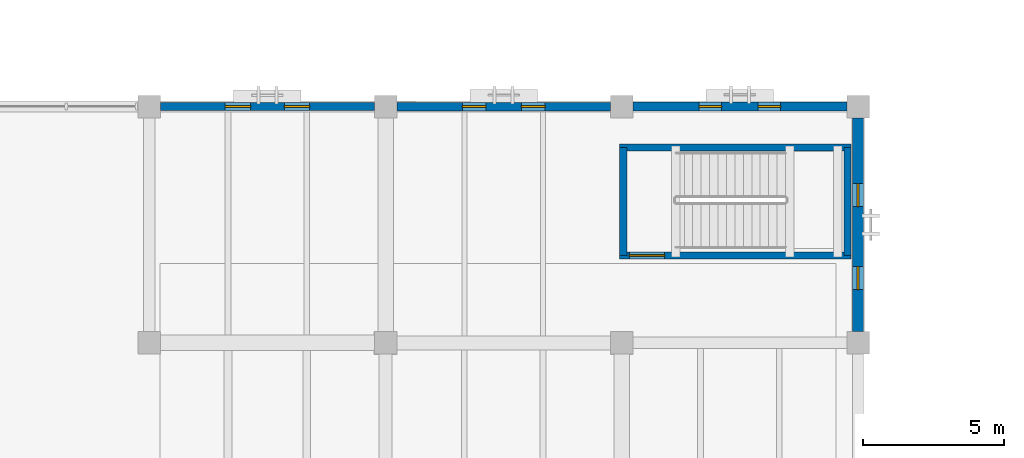
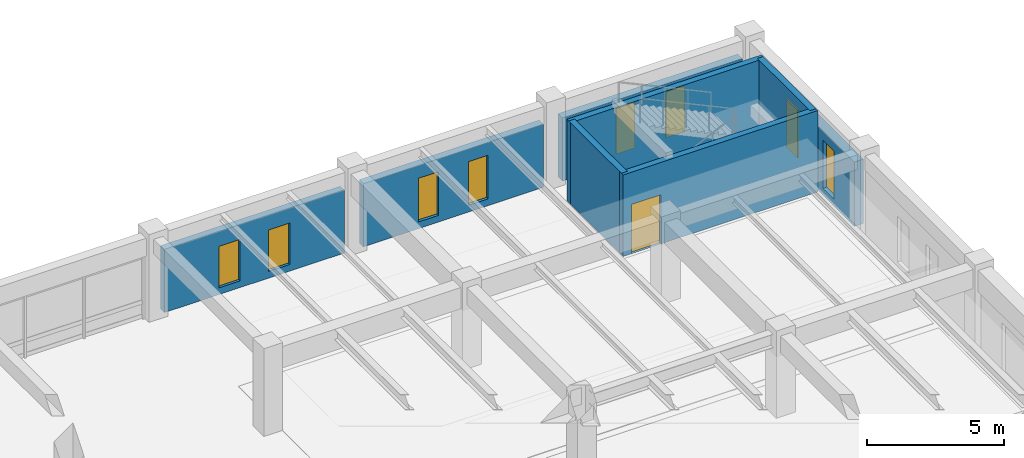
# One storey, part 99 of 135: 8 walls, 8 windows, 1 door, 9 openings.
"""IFC4 building model written with IfcOpenShell, lengths in metres."""

from ifc_helpers import new_model, si_unit, direction, frame, frame_2d, origin, place, context, subcontext, project, spatial, rectangle, extrude, material, layer, layer_set, type_object, element, fill, save


model = new_model("IFC4")

# Units and contexts
model_context = context("Model", 3, precision=1e-05, world=origin(), true_north=direction((0.0, 1.0)))
body_context = subcontext(model_context, "Body", "Model", "MODEL_VIEW")
ifc_project = project(units=[si_unit("LENGTHUNIT", "METRE"), si_unit("AREAUNIT", "SQUARE_METRE"), si_unit("VOLUMEUNIT", "CUBIC_METRE"), si_unit("PLANEANGLEUNIT", "RADIAN"), si_unit("MASSUNIT", "GRAM", prefix="KILO")], contexts=[model_context])

# Site, building, storey
site_placement = place(None, origin())
site = spatial("IfcSite", under=ifc_project, at=site_placement, CompositionType="ELEMENT")
building_placement = place(site_placement, origin())
building = spatial("IfcBuilding", under=site, at=building_placement, Name="Cumbredor Promenade Congress Hotel", CompositionType="ELEMENT")
storey_placement = place(building_placement, origin())
storey = spatial("IfcBuildingStorey", under=building, at=storey_placement, Name="L00", CompositionType="ELEMENT", Elevation=0.0)

# Wall, openings, windows
ifc_material_1 = material(Name="Concrete C40/50", Category="concrete")
ifc_layer_1 = layer(ifc_material_1, 0.280029296875, Name="Concrete C40/50", Category="concrete")
ifc_layer_set_1 = layer_set([ifc_layer_1], Name="Concrete C40/50")
wall_type_1 = type_object("IfcWallType", Name="WL-EXT-280", PredefinedType="SOLIDWALL", material=ifc_layer_set_1)
wall_1_placement = place(storey_placement, frame((151.60107421875, 117.60009765625, 0.0), z_axis=(0.0, 0.0, 1.0), x_axis=(1.0, 0.0, 0.0)))
wall_1 = element("IfcWall", 1, at=wall_1_placement, inside=storey, type_object=wall_type_1, Name="L00 Pre-Function and Breakout Meeting Forum North Envelope Wall 8", PredefinedType="SOLIDWALL", context=body_context, shape_type="SweptSolid", body=[
    extrude(rectangle(XDim=7.597900390625, YDim=0.280029296875, at=frame_2d((3.798828125, 0.0))), origin(), (0.0, 0.0, 1.0), 2.824951171875),
])
opening_1_placement = place(wall_1_placement, frame((2.299072265625, 0.0, 0.300048828125)))
opening_1 = element("IfcOpeningElement", 2, at=opening_1_placement, cuts=wall_1, Name="Opening WN-48", PredefinedType="OPENING", context=body_context, shape_type="SweptSolid", body=[
    extrude(rectangle(XDim=0.89990234375, YDim=1.85009765625, at=frame_2d((0.449951171875, 0.925048828125))), frame((0.0, 0.14990234375, 0.0), z_axis=(0.0, -1.0, 0.0), x_axis=(1.0, 0.0, 0.0)), (0.0, 0.0, 1.0), 0.300048828125),
])
opening_2_placement = place(wall_1_placement, frame((4.39892578125, 0.0, 0.300048828125)))
opening_2 = element("IfcOpeningElement", 3, at=opening_2_placement, cuts=wall_1, Name="Opening WN-48", PredefinedType="OPENING", context=body_context, shape_type="SweptSolid", body=[
    extrude(rectangle(XDim=0.89990234375, YDim=1.85009765625, at=frame_2d((0.449951171875, 0.925048828125))), frame((0.0, 0.14990234375, 0.0), z_axis=(0.0, -1.0, 0.0), x_axis=(1.0, 0.0, 0.0)), (0.0, 0.0, 1.0), 0.300048828125),
])
ifc_material_2 = material(Name="Thermally broken anodized aluminium and low-E glass", Category="aluminium")
window_type_1 = type_object("IfcWindowType", Name="Vertical Slot Window WN-48 900x1850", PartitioningType="SINGLE_PANEL", PredefinedType="WINDOW", material=ifc_material_2)
window_1_placement = place(opening_1_placement, origin())
window_1 = element("IfcWindow", 4, at=window_1_placement, inside=storey, type_object=window_type_1, Name="L00 Vertical Slot Window 0047", OverallHeight=1.85009765625, OverallWidth=0.89990234375, PartitioningType="SINGLE_PANEL", PredefinedType="WINDOW", context=body_context, shape_type="SweptSolid", body=[
    extrude(rectangle(XDim=0.89990234375, YDim=1.85009765625, at=frame_2d((0.449951171875, 0.925048828125))), frame((0.0, 0.030029296875, 0.0), z_axis=(0.0, -1.0, 0.0), x_axis=(1.0, 0.0, 0.0)), (0.0, 0.0, 1.0), 0.06005859375),
])
fill(opening_1, window_1)
window_2_placement = place(opening_2_placement, origin())
window_2 = element("IfcWindow", 5, at=window_2_placement, inside=storey, type_object=window_type_1, Name="L00 Vertical Slot Window 0048", OverallHeight=1.85009765625, OverallWidth=0.89990234375, PartitioningType="SINGLE_PANEL", PredefinedType="WINDOW", context=body_context, shape_type="SweptSolid", body=[
    extrude(rectangle(XDim=0.89990234375, YDim=1.85009765625, at=frame_2d((0.449951171875, 0.925048828125))), frame((0.0, 0.030029296875, 0.0), z_axis=(0.0, -1.0, 0.0), x_axis=(1.0, 0.0, 0.0)), (0.0, 0.0, 1.0), 0.06005859375),
])
fill(opening_2, window_2)

ifc_layer_2 = layer(ifc_material_1, 0.300048828125, Name="Concrete C40/50", Category="concrete")
ifc_layer_set_2 = layer_set([ifc_layer_2], Name="Concrete C40/50")
wall_type_2 = type_object("IfcWallType", Name="WL-EXT-300", PredefinedType="SOLIDWALL", material=ifc_layer_set_2)
wall_2_placement = place(storey_placement, frame((160.0009765625, 117.60009765625, 0.0), z_axis=(0.0, 0.0, 1.0), x_axis=(1.0, 0.0, 0.0)))
wall_2 = element("IfcWall", 6, at=wall_2_placement, inside=storey, type_object=wall_type_2, Name="L00 Pre-Function and Breakout Meeting Forum North Envelope Wall 9", PredefinedType="SOLIDWALL", context=body_context, shape_type="SweptSolid", body=[
    extrude(rectangle(XDim=7.59814453125, YDim=0.300048828125, at=frame_2d((3.799072265625, 0.0))), origin(), (0.0, 0.0, 1.0), 2.824951171875),
])
opening_3_placement = place(wall_2_placement, frame((2.3291015625, 0.0, 0.300048828125)))
opening_3 = element("IfcOpeningElement", 7, at=opening_3_placement, cuts=wall_2, Name="Opening WN-51", PredefinedType="OPENING", context=body_context, shape_type="SweptSolid", body=[
    extrude(rectangle(XDim=0.840087890625, YDim=1.949951171875, at=frame_2d((0.419921875, 0.97509765625))), frame((0.0, 0.16015625, 0.0), z_axis=(0.0, -1.0, 0.0), x_axis=(1.0, 0.0, 0.0)), (0.0, 0.0, 1.0), 0.320068359375),
])
opening_4_placement = place(wall_2_placement, frame((4.428955078125, 0.0, 0.300048828125)))
opening_4 = element("IfcOpeningElement", 8, at=opening_4_placement, cuts=wall_2, Name="Opening WN-51", PredefinedType="OPENING", context=body_context, shape_type="SweptSolid", body=[
    extrude(rectangle(XDim=0.840087890625, YDim=1.949951171875, at=frame_2d((0.419921875, 0.97509765625))), frame((0.0, 0.16015625, 0.0), z_axis=(0.0, -1.0, 0.0), x_axis=(1.0, 0.0, 0.0)), (0.0, 0.0, 1.0), 0.320068359375),
])
window_type_2 = type_object("IfcWindowType", Name="Vertical Slot Window WN-51 840x1950", PartitioningType="SINGLE_PANEL", PredefinedType="WINDOW", material=ifc_material_2)
window_3_placement = place(opening_3_placement, origin())
window_3 = element("IfcWindow", 9, at=window_3_placement, inside=storey, type_object=window_type_2, Name="L00 Vertical Slot Window 0049", OverallHeight=1.949951171875, OverallWidth=0.840087890625, PartitioningType="SINGLE_PANEL", PredefinedType="WINDOW", context=body_context, shape_type="SweptSolid", body=[
    extrude(rectangle(XDim=0.840087890625, YDim=1.949951171875, at=frame_2d((0.419921875, 0.97509765625))), frame((0.0, 0.030029296875, 0.0), z_axis=(0.0, -1.0, 0.0), x_axis=(1.0, 0.0, 0.0)), (0.0, 0.0, 1.0), 0.06005859375),
])
fill(opening_3, window_3)
window_4_placement = place(opening_4_placement, origin())
window_4 = element("IfcWindow", 10, at=window_4_placement, inside=storey, type_object=window_type_2, Name="L00 Vertical Slot Window 0050", OverallHeight=1.949951171875, OverallWidth=0.840087890625, PartitioningType="SINGLE_PANEL", PredefinedType="WINDOW", context=body_context, shape_type="SweptSolid", body=[
    extrude(rectangle(XDim=0.840087890625, YDim=1.949951171875, at=frame_2d((0.419921875, 0.97509765625))), frame((0.0, 0.030029296875, 0.0), z_axis=(0.0, -1.0, 0.0), x_axis=(1.0, 0.0, 0.0)), (0.0, 0.0, 1.0), 0.06005859375),
])
fill(opening_4, window_4)

ifc_layer_3 = layer(ifc_material_1, 0.324951171875, Name="Concrete C40/50", Category="concrete")
ifc_layer_set_3 = layer_set([ifc_layer_3], Name="Concrete C40/50")
wall_type_3 = type_object("IfcWallType", Name="WL-EXT-325", PredefinedType="SOLIDWALL", material=ifc_layer_set_3)
wall_3_placement = place(storey_placement, frame((168.40087890625, 117.60009765625, 0.0), z_axis=(0.0, 0.0, 1.0), x_axis=(1.0, 0.0, 0.0)))
wall_3 = element("IfcWall", 11, at=wall_3_placement, inside=storey, type_object=wall_type_3, Name="L00 Pre-Function and Breakout Meeting Forum North Envelope Wall 10", PredefinedType="SOLIDWALL", context=body_context, shape_type="SweptSolid", body=[
    extrude(rectangle(XDim=7.59814453125, YDim=0.324951171875, at=frame_2d((3.799072265625, 0.0))), origin(), (0.0, 0.0, 1.0), 2.824951171875),
])
opening_5_placement = place(wall_3_placement, frame((2.34912109375, 0.0, 0.300048828125)))
opening_5 = element("IfcOpeningElement", 12, at=opening_5_placement, cuts=wall_3, Name="Opening WN-54", PredefinedType="OPENING", context=body_context, shape_type="SweptSolid", body=[
    extrude(rectangle(XDim=0.800048828125, YDim=2.050048828125, at=frame_2d((0.39990234375, 1.02490234375))), frame((0.0, 0.17236328125, 0.0), z_axis=(0.0, -1.0, 0.0), x_axis=(1.0, 0.0, 0.0)), (0.0, 0.0, 1.0), 0.344970703125),
])
opening_6_placement = place(wall_3_placement, frame((4.448974609375, 0.0, 0.300048828125)))
opening_6 = element("IfcOpeningElement", 13, at=opening_6_placement, cuts=wall_3, Name="Opening WN-54", PredefinedType="OPENING", context=body_context, shape_type="SweptSolid", body=[
    extrude(rectangle(XDim=0.800048828125, YDim=2.050048828125, at=frame_2d((0.39990234375, 1.02490234375))), frame((0.0, 0.17236328125, 0.0), z_axis=(0.0, -1.0, 0.0), x_axis=(1.0, 0.0, 0.0)), (0.0, 0.0, 1.0), 0.344970703125),
])
window_type_3 = type_object("IfcWindowType", Name="Vertical Slot Window WN-54 800x2050", PartitioningType="SINGLE_PANEL", PredefinedType="WINDOW", material=ifc_material_2)
window_5_placement = place(opening_5_placement, origin())
window_5 = element("IfcWindow", 14, at=window_5_placement, inside=storey, type_object=window_type_3, Name="L00 Vertical Slot Window 0051", OverallHeight=2.050048828125, OverallWidth=0.800048828125, PartitioningType="SINGLE_PANEL", PredefinedType="WINDOW", context=body_context, shape_type="SweptSolid", body=[
    extrude(rectangle(XDim=0.800048828125, YDim=2.050048828125, at=frame_2d((0.39990234375, 1.02490234375))), frame((0.0, 0.030029296875, 0.0), z_axis=(0.0, -1.0, 0.0), x_axis=(1.0, 0.0, 0.0)), (0.0, 0.0, 1.0), 0.06005859375),
])
fill(opening_5, window_5)
window_6_placement = place(opening_6_placement, origin())
window_6 = element("IfcWindow", 15, at=window_6_placement, inside=storey, type_object=window_type_3, Name="L00 Vertical Slot Window 0052", OverallHeight=2.050048828125, OverallWidth=0.800048828125, PartitioningType="SINGLE_PANEL", PredefinedType="WINDOW", context=body_context, shape_type="SweptSolid", body=[
    extrude(rectangle(XDim=0.800048828125, YDim=2.050048828125, at=frame_2d((0.39990234375, 1.02490234375))), frame((0.0, 0.030029296875, 0.0), z_axis=(0.0, -1.0, 0.0), x_axis=(1.0, 0.0, 0.0)), (0.0, 0.0, 1.0), 0.06005859375),
])
fill(opening_6, window_6)

ifc_layer_4 = layer(ifc_material_1, 0.3798828125, Name="Concrete C40/50", Category="concrete")
ifc_layer_set_4 = layer_set([ifc_layer_4], Name="Concrete C40/50")
wall_type_4 = type_object("IfcWallType", Name="WL-EXT-380", PredefinedType="SOLIDWALL", material=ifc_layer_set_4)
wall_4_placement = place(storey_placement, frame((176.39990234375, 109.60107421875, 0.0), z_axis=(0.0, 0.0, 1.0), x_axis=(0.0, 1.0, 0.0)))
wall_4 = element("IfcWall", 16, at=wall_4_placement, inside=storey, type_object=wall_type_4, Name="L00 Pre-Function and Breakout Meeting Forum East Envelope Wall 4", PredefinedType="SOLIDWALL", context=body_context, shape_type="SweptSolid", body=[
    extrude(rectangle(XDim=7.597900390625, YDim=0.3798828125, at=frame_2d((3.798828125, 0.0))), origin(), (0.0, 0.0, 1.0), 2.875),
])
opening_7_placement = place(wall_4_placement, frame((1.489013671875, 0.0, 0.300048828125)))
opening_7 = element("IfcOpeningElement", 17, at=opening_7_placement, cuts=wall_4, Name="Opening WN-58", PredefinedType="OPENING", context=body_context, shape_type="SweptSolid", body=[
    extrude(rectangle(XDim=0.820068359375, YDim=2.14990234375, at=frame_2d((0.41015625, 1.074951171875))), frame((0.0, 0.199951171875, 0.0), z_axis=(0.0, -1.0, 0.0), x_axis=(1.0, 0.0, 0.0)), (0.0, 0.0, 1.0), 0.39990234375),
])
opening_8_placement = place(wall_4_placement, frame((4.43896484375, 0.0, 0.300048828125)))
opening_8 = element("IfcOpeningElement", 18, at=opening_8_placement, cuts=wall_4, Name="Opening WN-58", PredefinedType="OPENING", context=body_context, shape_type="SweptSolid", body=[
    extrude(rectangle(XDim=0.820068359375, YDim=2.14990234375, at=frame_2d((0.41015625, 1.074951171875))), frame((0.0, 0.199951171875, 0.0), z_axis=(0.0, -1.0, 0.0), x_axis=(1.0, 0.0, 0.0)), (0.0, 0.0, 1.0), 0.39990234375),
])
window_type_4 = type_object("IfcWindowType", Name="Vertical Slot Window WN-58 820x2150", PartitioningType="SINGLE_PANEL", PredefinedType="WINDOW", material=ifc_material_2)
window_7_placement = place(opening_7_placement, origin())
window_7 = element("IfcWindow", 19, at=window_7_placement, inside=storey, type_object=window_type_4, Name="L00 Vertical Slot Window 0061", OverallHeight=2.14990234375, OverallWidth=0.820068359375, PartitioningType="SINGLE_PANEL", PredefinedType="WINDOW", context=body_context, shape_type="SweptSolid", body=[
    extrude(rectangle(XDim=0.820068359375, YDim=2.14990234375, at=frame_2d((0.41015625, 1.074951171875))), frame((0.0, 0.030029296875, 0.0), z_axis=(0.0, -1.0, 0.0), x_axis=(1.0, 0.0, 0.0)), (0.0, 0.0, 1.0), 0.06005859375),
])
fill(opening_7, window_7)
window_8_placement = place(opening_8_placement, origin())
window_8 = element("IfcWindow", 20, at=window_8_placement, inside=storey, type_object=window_type_4, Name="L00 Vertical Slot Window 0062", OverallHeight=2.14990234375, OverallWidth=0.820068359375, PartitioningType="SINGLE_PANEL", PredefinedType="WINDOW", context=body_context, shape_type="SweptSolid", body=[
    extrude(rectangle(XDim=0.820068359375, YDim=2.14990234375, at=frame_2d((0.41015625, 1.074951171875))), frame((0.0, 0.030029296875, 0.0), z_axis=(0.0, -1.0, 0.0), x_axis=(1.0, 0.0, 0.0)), (0.0, 0.0, 1.0), 0.06005859375),
])
fill(opening_8, window_8)

# Wall, opening, door
ifc_layer_5 = layer(ifc_material_1, 0.2548828125, Name="Concrete C40/50", Category="concrete")
ifc_layer_set_5 = layer_set([ifc_layer_5], Name="Concrete C40/50")
wall_type_5 = type_object("IfcWallType", Name="WL-SHAFT-250", PredefinedType="SOLIDWALL", material=ifc_layer_set_5)
wall_5_placement = place(storey_placement, frame((167.922607421875, 112.300048828125, 0.0), z_axis=(0.0, 0.0, 1.0), x_axis=(1.0, 0.0, 0.0)))
wall_5 = element("IfcWall", 21, at=wall_5_placement, inside=storey, type_object=wall_type_5, Name="STAIR-ST-16-L00 Shaft Wall South", PredefinedType="SOLIDWALL", context=body_context, shape_type="SweptSolid", body=[
    extrude(rectangle(XDim=8.224853515625, YDim=0.2548828125, at=frame_2d((4.1123046875, 0.0))), origin(), (0.0, 0.0, 1.0), 3.639892578125),
])
opening_9_placement = place(wall_5_placement, frame((0.35009765625, 0.0, 0.0)))
opening_9 = element("IfcOpeningElement", 22, at=opening_9_placement, cuts=wall_5, Name="Opening SD-02", PredefinedType="OPENING", context=body_context, shape_type="SweptSolid", body=[
    extrude(rectangle(XDim=1.25, YDim=2.199951171875, at=frame_2d((0.625, 1.10009765625))), frame((0.0, 0.137451171875, 0.0), z_axis=(0.0, -1.0, 0.0), x_axis=(1.0, 0.0, 0.0)), (0.0, 0.0, 1.0), 0.27490234375),
])
ifc_material_3 = material(Name="Painted galvanized steel fire door", Category="steel")
door_type = type_object("IfcDoorType", Name="DR-STAIR-FD90-1250", OperationType="NOTDEFINED", PredefinedType="DOOR", material=ifc_material_3)
door_placement = place(opening_9_placement, origin())
door = element("IfcDoor", 23, at=door_placement, inside=storey, type_object=door_type, Name="L00 Protected Exit Stair ST-16 Door", OperationType="SINGLE_SWING_RIGHT", OverallHeight=2.199951171875, OverallWidth=1.25, PredefinedType="DOOR", context=body_context, shape_type="SweptSolid", body=[
    extrude(rectangle(XDim=1.25, YDim=2.199951171875, at=frame_2d((0.625, 1.10009765625))), frame((0.0, 0.02490234375, 0.0), z_axis=(0.0, -1.0, 0.0), x_axis=(1.0, 0.0, 0.0)), (0.0, 0.0, 1.0), 0.050048828125),
])
fill(opening_9, door)

# Walls
wall_6_placement = place(storey_placement, frame((167.922607421875, 116.14990234375, 0.0), z_axis=(0.0, 0.0, 1.0), x_axis=(1.0, 0.0, 0.0)))
element("IfcWall", 24, at=wall_6_placement, inside=storey, type_object=wall_type_5, Name="STAIR-ST-16-L00 Shaft Wall North", PredefinedType="SOLIDWALL", context=body_context, shape_type="SweptSolid", body=[
    extrude(rectangle(XDim=8.224853515625, YDim=0.2548828125, at=frame_2d((4.1123046875, 0.0))), origin(), (0.0, 0.0, 1.0), 3.639892578125),
])
for number, where, z_axis, x_axis, name in (
    (25, (168.050048828125, 112.300048828125, 0.0), (0.0, 0.0, 1.0), (0.0, 1.0, 0.0), "STAIR-ST-16-L00 Shaft Wall West"),
    (26, (176.02001953125, 112.300048828125, 0.0), (0.0, 0.0, 1.0), (0.0, 1.0, 0.0), "STAIR-ST-16-L00 Shaft Wall East"),
):
    element("IfcWall", number, at=place(storey_placement, frame(where, z_axis=z_axis, x_axis=x_axis)), inside=storey, type_object=wall_type_5, Name=name, PredefinedType="SOLIDWALL", context=body_context, shape_type="SweptSolid", body=[
        extrude(rectangle(XDim=3.849853515625, YDim=0.2548828125, at=frame_2d((1.9248046875, 0.0))), origin(), (0.0, 0.0, 1.0), 3.639892578125),
    ])

save(model, "model.ifc")
